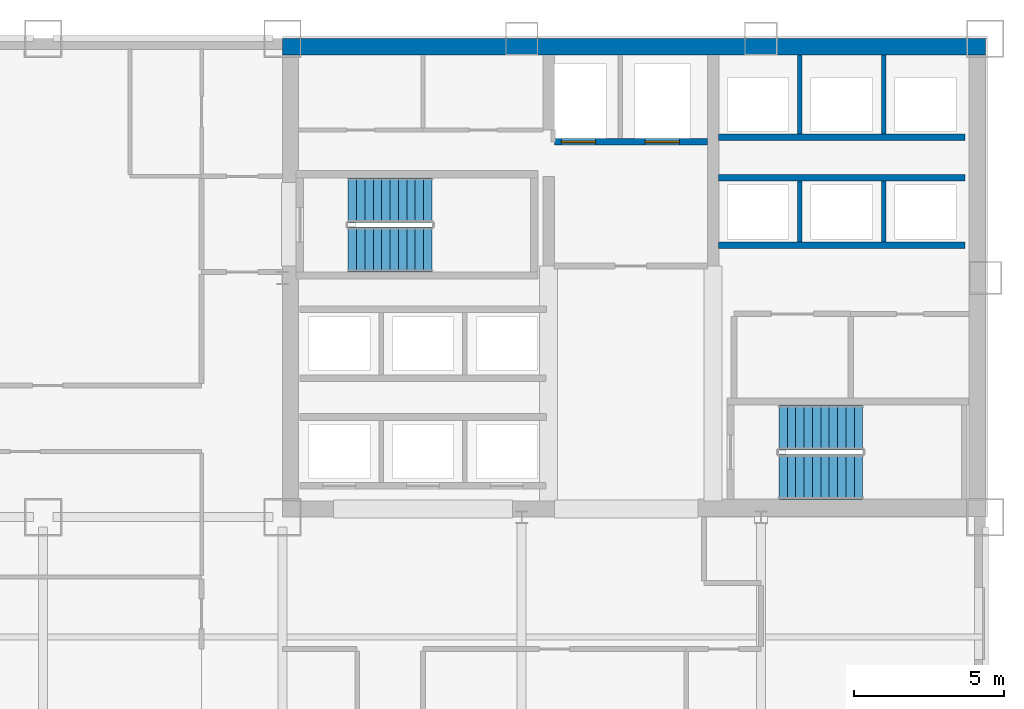
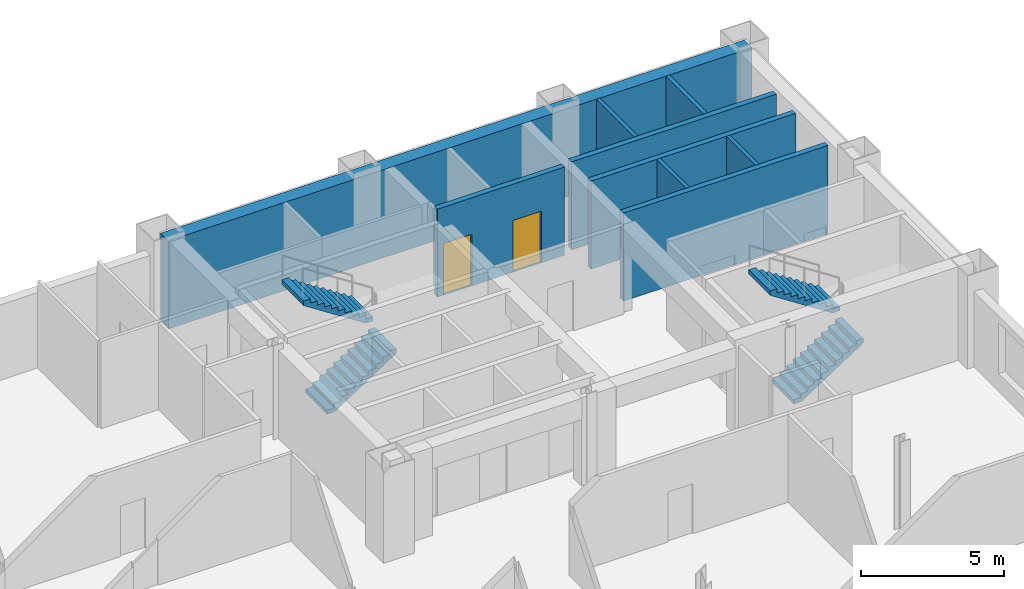
# One storey, part 7 of 9: 9 walls, 4 stair flights, 2 doors, 2 openings, 2 elements without a shape of their own.
"""IFC4 building model written with IfcOpenShell, lengths in metres."""

import ifcopenshell
import ifcopenshell.guid

model = None  # the IFC model being written
_history = None  # IfcOwnerHistory: only IFC2X3 demands one
_inside = {}  # id of a spatial element -> (the spatial element, [elements in it])
_under = {}  # id of a project, library or spatial element -> (it, [spatial elements below it])
_declared = {}  # id of a project -> (the project, [libraries it declares])
_typed = {}  # id of a type object -> (the type object, [elements of that type])
_made_of = {}  # id of a material, layer set ... -> (it, [elements and type objects made of it])


def new_model(schema):
    """Start an empty IFC model of exactly this schema.

    Asked for "IFC4X3", IfcOpenShell would pick the latest addendum, in which some entities
    have other attributes; the version numbers below select the first issue.
    IFC2X3 requires an IfcOwnerHistory on every rooted entity: one is made here for all.
    """
    global model, _history
    if schema == "IFC4X3":
        model = ifcopenshell.file(schema_version=(4, 3, 0, 0))
    else:
        model = ifcopenshell.file(schema=schema)
    _inside.clear()
    _under.clear()
    _declared.clear()
    _typed.clear()
    _made_of.clear()
    _history = None
    if model.schema == "IFC2X3":
        org = make("IfcOrganization", Name="unknown")
        user = make(
            "IfcPersonAndOrganization",
            ThePerson=make("IfcPerson", FamilyName="unknown"),
            TheOrganization=org,
        )
        app = make(
            "IfcApplication",
            ApplicationDeveloper=org,
            Version="unknown",
            ApplicationFullName="unknown",
            ApplicationIdentifier="unknown",
        )
        _history = make(
            "IfcOwnerHistory",
            OwningUser=user,
            OwningApplication=app,
            ChangeAction="ADDED",
            CreationDate=0,
        )
    return model


def make(cls, **values):
    """One entity of the class cls with the attributes given. An attribute that is None is left unset."""
    return model.create_entity(
        cls, **{name: value for name, value in values.items() if value is not None}
    )


def rooted(cls, **values):
    """An entity with a GlobalId (a new one), such as an element, a storey or a relation."""
    return make(cls, GlobalId=ifcopenshell.guid.new(), OwnerHistory=_history, **values)


def si_unit(unit_type, name, prefix=None):
    """IfcSIUnit, for example si_unit("LENGTHUNIT", "METRE", prefix="MILLI")."""
    return make("IfcSIUnit", UnitType=unit_type, Prefix=prefix, Name=name)


def assignment(units):
    """IfcUnitAssignment: the units of a project."""
    return None if units is None else make("IfcUnitAssignment", Units=units)


def point(xyz):
    """IfcCartesianPoint."""
    return None if xyz is None else make("IfcCartesianPoint", Coordinates=xyz)


def direction(xyz):
    """IfcDirection."""
    return None if xyz is None else make("IfcDirection", DirectionRatios=xyz)


def frame(location, z_axis=None, x_axis=None):
    """IfcAxis2Placement3D, a coordinate frame: its origin and axes. An axis left out is left unset."""
    return make(
        "IfcAxis2Placement3D",
        Location=point(location),
        Axis=direction(z_axis),
        RefDirection=direction(x_axis),
    )


def frame_2d(location, x_axis=None):
    """IfcAxis2Placement2D, a coordinate frame in the plane: its origin and x axis."""
    return make(
        "IfcAxis2Placement2D", Location=point(location), RefDirection=direction(x_axis)
    )


def origin():
    """The frame at (0, 0, 0) with its axes left unset."""
    return frame((0.0, 0.0, 0.0))


def place(relative_to, where):
    """IfcLocalPlacement: puts the frame where relative to a parent placement (None: the world)."""
    return make(
        "IfcLocalPlacement", PlacementRelTo=relative_to, RelativePlacement=where
    )


def context(
    kind, dimensions, precision=None, world=None, true_north=None, identifier=None
):
    """IfcGeometricRepresentationContext, for example the 3D "Model" context."""
    return make(
        "IfcGeometricRepresentationContext",
        ContextIdentifier=identifier,
        ContextType=kind,
        CoordinateSpaceDimension=dimensions,
        Precision=precision,
        WorldCoordinateSystem=world,
        TrueNorth=true_north,
    )


def subcontext(parent, identifier, kind, view, scale=None):
    """IfcGeometricRepresentationSubContext, for example "Body" below "Model"."""
    return make(
        "IfcGeometricRepresentationSubContext",
        ContextIdentifier=identifier,
        ContextType=kind,
        ParentContext=parent,
        TargetScale=scale,
        TargetView=view,
    )


def project(units=None, contexts=None):
    """IfcProject with its units and contexts."""
    return rooted(
        "IfcProject",
        Name="project",
        RepresentationContexts=contexts,
        UnitsInContext=assignment(units),
    )


def spatial(cls, under=None, at=None, **own):
    """A site, building, storey or space (cls), placed at a placement, below another one or the project."""
    s = rooted(cls, ObjectPlacement=at, **own)
    if under is not None:
        _under.setdefault(under.id(), (under, []))[1].append(s)
    return s


def polyline(points):
    """IfcPolyline through the points."""
    return make("IfcPolyline", Points=[point(p) for p in points])


def profile(cls, at=None, kind="AREA", **sizes):
    """A parametric profile (cls). Its sizes go by their IFC names, for example OverallWidth=200.0."""
    return make(cls, ProfileType=kind, Position=at, **sizes)


def rectangle(**sizes):
    """IfcRectangleProfileDef."""
    return profile("IfcRectangleProfileDef", **sizes)


def outline(outer, holes=None, kind="AREA"):
    """IfcArbitraryClosedProfileDef: a profile drawn as a closed curve; with holes, ...WithVoids."""
    if holes is None:
        return make("IfcArbitraryClosedProfileDef", ProfileType=kind, OuterCurve=outer)
    return make(
        "IfcArbitraryProfileDefWithVoids",
        ProfileType=kind,
        OuterCurve=outer,
        InnerCurves=holes,
    )


def extrude(swept, where, along, depth):
    """IfcExtrudedAreaSolid: the profile swept, set in the frame where, extruded along a direction by depth."""
    return make(
        "IfcExtrudedAreaSolid",
        SweptArea=swept,
        Position=where,
        ExtrudedDirection=direction(along),
        Depth=depth,
    )


def shape(context_of_items, identifier, shape_type, items):
    """IfcShapeRepresentation: the items that make up one representation, for example the "Body"."""
    return make(
        "IfcShapeRepresentation",
        ContextOfItems=context_of_items,
        RepresentationIdentifier=identifier,
        RepresentationType=shape_type,
        Items=items,
    )


def material(Name=None, Category=None):
    """IfcMaterial."""
    return make("IfcMaterial", Name=Name, Category=Category)


def layer(
    of_material, thickness, ventilated=None, Name=None, Category=None, Priority=None
):
    """IfcMaterialLayer: one layer of a wall or slab, of a material (None: an air gap)."""
    return make(
        "IfcMaterialLayer",
        Material=of_material,
        LayerThickness=thickness,
        IsVentilated=ventilated,
        Name=Name,
        Category=Category,
        Priority=Priority,
    )


def layer_set(layers, Name=None):
    """IfcMaterialLayerSet."""
    return make("IfcMaterialLayerSet", MaterialLayers=layers, LayerSetName=Name)


def made_of(thing, what):
    """Note that an element or type object is made of a material, layer set ...; save() writes the relation."""
    if what is not None:
        _made_of.setdefault(what.id(), (what, []))[1].append(thing)
    return thing


def type_object(cls, material=None, **own):
    """A type object (cls), such as IfcWallType, which elements share."""
    return made_of(rooted(cls, **own), material)


def element(
    cls,
    number,
    at=None,
    inside=None,
    cuts=None,
    type_object=None,
    material=None,
    context=None,
    identifier="Body",
    shape_type=None,
    held_by="IfcProductDefinitionShape",
    body=None,
    shapes=None,
    **own,
):
    """One element of the class cls, such as IfcWall. Its Tag is "e" and its number.

    at: its placement. inside: the storey or other place that contains it. cuts: it is an
    opening in that element (IfcRelVoidsElement). A single representation is given by context,
    identifier, shape_type and body (its items); several are given by shapes. held_by: the class
    of the entity that holds the representations. save() writes the other relations.
    """
    e = rooted(cls, Tag="e%d" % number, ObjectPlacement=at, **own)
    if body is not None:
        shapes = [shape(context, identifier, shape_type, body)]
    if shapes is not None:
        e.Representation = make(held_by, Representations=shapes)
    if inside is not None:
        _inside.setdefault(inside.id(), (inside, []))[1].append(e)
    if cuts is not None:
        rooted(
            "IfcRelVoidsElement", RelatingBuildingElement=cuts, RelatedOpeningElement=e
        )
    if type_object is not None:
        _typed.setdefault(type_object.id(), (type_object, []))[1].append(e)
    return made_of(e, material)


def fill(opening, filler):
    """IfcRelFillsElement: the door or window that sits in an opening."""
    return rooted(
        "IfcRelFillsElement",
        RelatingOpeningElement=opening,
        RelatedBuildingElement=filler,
    )


def aggregate(whole, parts):
    """IfcRelAggregates: a whole, such as a stair, and the parts it consists of."""
    return rooted("IfcRelAggregates", RelatingObject=whole, RelatedObjects=parts)


def save(model, path):
    """Write the relations noted so far, then the file.

    IfcRelAggregates (storeys below a building ...), IfcRelContainedInSpatialStructure (elements
    in a storey), IfcRelDefinesByType, IfcRelAssociatesMaterial and IfcRelDeclares: one each for
    every whole, place, type object, material and project.
    """
    for whole, parts in _under.values():
        aggregate(whole, parts)
    for where, things in _inside.values():
        rooted(
            "IfcRelContainedInSpatialStructure",
            RelatedElements=things,
            RelatingStructure=where,
        )
    for kind, things in _typed.values():
        rooted("IfcRelDefinesByType", RelatedObjects=things, RelatingType=kind)
    for what, things in _made_of.values():
        rooted("IfcRelAssociatesMaterial", RelatedObjects=things, RelatingMaterial=what)
    for by, libraries in _declared.values():
        rooted("IfcRelDeclares", RelatingContext=by, RelatedDefinitions=libraries)
    model.write(path)


model = new_model("IFC4")

# Units and contexts
model_context = context("Model", 3, precision=1e-05, world=origin(), true_north=direction((0.0, 1.0)))
body_context = subcontext(model_context, "Body", "Model", "MODEL_VIEW")
ifc_project = project(units=[si_unit("LENGTHUNIT", "METRE"), si_unit("AREAUNIT", "SQUARE_METRE"), si_unit("VOLUMEUNIT", "CUBIC_METRE"), si_unit("PLANEANGLEUNIT", "RADIAN"), si_unit("MASSUNIT", "GRAM", prefix="KILO")], contexts=[model_context])

# Site, building, storey
site_placement = place(None, origin())
site = spatial("IfcSite", under=ifc_project, at=site_placement, CompositionType="ELEMENT")
building_placement = place(site_placement, origin())
building = spatial("IfcBuilding", under=site, at=building_placement, Name="Qianrong Seaharbour Tower", CompositionType="ELEMENT")
storey_placement = place(building_placement, frame((0.0, 0.0, 84.199951171875)))
storey = spatial("IfcBuildingStorey", under=building, at=storey_placement, Name="L20", CompositionType="ELEMENT", Elevation=84.199951171875)

# Walls
ifc_material_1 = material(Name="Concrete C70/85", Category="concrete")
ifc_layer_1 = layer(ifc_material_1, 0.5400390625)
ifc_layer_set_1 = layer_set([ifc_layer_1], Name="Concrete C70/85")
wall_type_1 = type_object("IfcWallType", Name="WALL-CORE-540", PredefinedType="SHEAR", material=ifc_layer_set_1)
wall_1_placement = place(storey_placement, frame((40.5, 51.72998046875, 0.0), z_axis=(0.0, 0.0, 1.0), x_axis=(1.0, 0.0, 0.0)))
element("IfcWall", 1, at=wall_1_placement, inside=storey, type_object=wall_type_1, Name="L20 North Core Shear Wall", PredefinedType="SHEAR", context=body_context, shape_type="SweptSolid", body=[
    extrude(rectangle(XDim=23.5, YDim=0.5400390625, at=frame_2d((11.75, 0.0))), origin(), (0.0, 0.0, 1.0), 3.75),
])
ifc_material_2 = material(Name="Fire-rated gypsum board on steel studs", Category="steel")
ifc_layer_2 = layer(ifc_material_2, 0.14990234375)
ifc_layer_set_2 = layer_set([ifc_layer_2], Name="Fire-rated gypsum board on steel studs")
wall_type_2 = type_object("IfcWallType", Name="WALL-SHAFT-DIV-150", PredefinedType="PARTITIONING", material=ifc_layer_set_2)
for number, where, z_axis, x_axis, name in (
    (2, (57.800048828125, 45.2099609375, 0.0), (0.0, 0.0, 1.0), (0.0, 1.0, 0.0), "L20 P3 Lift Hoistway Divider 2"),
    (3, (60.60009765625, 45.2099609375, 0.0), (0.0, 0.0, 1.0), (0.0, 1.0, 0.0), "L20 P3 Lift Hoistway Divider 3"),
):
    element("IfcWall", number, at=place(storey_placement, frame(where, z_axis=z_axis, x_axis=x_axis)), inside=storey, type_object=wall_type_2, Name=name, PredefinedType="PARTITIONING", context=body_context, shape_type="SweptSolid", body=[
        extrude(rectangle(XDim=2.030029296875, YDim=0.14990234375, at=frame_2d((1.01513671875, 0.0))), origin(), (0.0, 0.0, 1.0), 3.75),
    ])
for number, where, z_axis, x_axis, name in (
    (4, (57.800048828125, 48.81005859375, 0.0), (0.0, 0.0, 1.0), (0.0, 1.0, 0.0), "L20 P4 Lift Hoistway Divider 2"),
    (5, (60.60009765625, 48.81005859375, 0.0), (0.0, 0.0, 1.0), (0.0, 1.0, 0.0), "L20 P4 Lift Hoistway Divider 3"),
):
    element("IfcWall", number, at=place(storey_placement, frame(where, z_axis=z_axis, x_axis=x_axis)), inside=storey, type_object=wall_type_2, Name=name, PredefinedType="PARTITIONING", context=body_context, shape_type="SweptSolid", body=[
        extrude(rectangle(XDim=2.64990234375, YDim=0.14990234375, at=frame_2d((1.324951171875, 0.0))), origin(), (0.0, 0.0, 1.0), 3.75),
    ])

# Wall, openings, doors
ifc_layer_3 = layer(ifc_material_2, 0.219970703125)
ifc_layer_set_3 = layer_set([ifc_layer_3], Name="Fire-rated gypsum board on steel studs")
wall_type_3 = type_object("IfcWallType", Name="WALL-SHAFT-GYP220", PredefinedType="PARTITIONING", material=ifc_layer_set_3)
wall_2_placement = place(storey_placement, frame((54.7099609375, 48.550048828125, 0.0), z_axis=(0.0, 0.0, 1.0), x_axis=(-1.0, 0.0, 0.0)))
wall_2 = element("IfcWall", 6, at=wall_2_placement, inside=storey, type_object=wall_type_3, Name="L20 Firefighting Lift Shaft Front Wall", PredefinedType="PARTITIONING", context=body_context, shape_type="SweptSolid", body=[
    extrude(rectangle(XDim=5.119873046875, YDim=0.219970703125, at=frame_2d((2.56005859375, 0.0))), origin(), (0.0, 0.0, 1.0), 3.75),
])
opening_1_placement = place(wall_2_placement, frame((3.735107421875, 0.0, 0.0)))
opening_1 = element("IfcOpeningElement", 7, at=opening_1_placement, cuts=wall_2, Name="Opening LD-01", PredefinedType="OPENING", context=body_context, shape_type="SweptSolid", body=[
    extrude(rectangle(XDim=1.14990234375, YDim=2.199951171875, at=frame_2d((0.574951171875, 1.10009765625))), frame((0.0, 0.1201171875, 0.0), z_axis=(0.0, -1.0, 0.0), x_axis=(1.0, 0.0, 0.0)), (0.0, 0.0, 1.0), 0.239990234375),
])
opening_2_placement = place(wall_2_placement, frame((0.93505859375, 0.0, 0.0)))
opening_2 = element("IfcOpeningElement", 8, at=opening_2_placement, cuts=wall_2, Name="Opening LD-01", PredefinedType="OPENING", context=body_context, shape_type="SweptSolid", body=[
    extrude(rectangle(XDim=1.14990234375, YDim=2.199951171875, at=frame_2d((0.574951171875, 1.10009765625))), frame((0.0, 0.1201171875, 0.0), z_axis=(0.0, -1.0, 0.0), x_axis=(1.0, 0.0, 0.0)), (0.0, 0.0, 1.0), 0.239990234375),
])
ifc_material_3 = material(Name="Stainless steel SUS316L bi-parting lift landing door", Category="steel")
door_type = type_object("IfcDoorType", Name="DOOR-LIFT-FF-1150x2200", OperationType="DOUBLE_DOOR_SLIDING", PredefinedType="DOOR", material=ifc_material_3)
door_1_placement = place(opening_1_placement, origin())
door_1 = element("IfcDoor", 9, at=door_1_placement, inside=storey, type_object=door_type, Name="L20 FL-1 Firefighting Lift Landing Door", OperationType="DOUBLE_DOOR_SLIDING", OverallHeight=2.199951171875, OverallWidth=1.14990234375, PredefinedType="DOOR", context=body_context, shape_type="SweptSolid", body=[
    extrude(rectangle(XDim=1.14990234375, YDim=2.199951171875, at=frame_2d((0.574951171875, 1.10009765625))), frame((0.0, 0.02490234375, 0.0), z_axis=(0.0, -1.0, 0.0), x_axis=(1.0, 0.0, 0.0)), (0.0, 0.0, 1.0), 0.050048828125),
])
fill(opening_1, door_1)
door_2_placement = place(opening_2_placement, origin())
door_2 = element("IfcDoor", 10, at=door_2_placement, inside=storey, type_object=door_type, Name="L20 FL-2 Firefighting Lift Landing Door", OperationType="DOUBLE_DOOR_SLIDING", OverallHeight=2.199951171875, OverallWidth=1.14990234375, PredefinedType="DOOR", context=body_context, shape_type="SweptSolid", body=[
    extrude(rectangle(XDim=1.14990234375, YDim=2.199951171875, at=frame_2d((0.574951171875, 1.10009765625))), frame((0.0, 0.02490234375, 0.0), z_axis=(0.0, -1.0, 0.0), x_axis=(1.0, 0.0, 0.0)), (0.0, 0.0, 1.0), 0.050048828125),
])
fill(opening_2, door_2)

# Walls
for number, where, z_axis, x_axis, name in (
    (11, (63.320068359375, 45.10009765625, 0.0), (0.0, 0.0, 1.0), (-1.0, 0.0, 0.0), "L20 P3 Lift Hoistway Front Wall"),
    (12, (55.080078125, 47.35009765625, 0.0), (0.0, 0.0, 1.0), (1.0, 0.0, 0.0), "L20 P3 Lift Hoistway Back Wall"),
    (13, (63.320068359375, 48.699951171875, 0.0), (0.0, 0.0, 1.0), (-1.0, 0.0, 0.0), "L20 P4 Lift Hoistway Front Wall"),
):
    element("IfcWall", number, at=place(storey_placement, frame(where, z_axis=z_axis, x_axis=x_axis)), inside=storey, type_object=wall_type_3, Name=name, PredefinedType="PARTITIONING", context=body_context, shape_type="SweptSolid", body=[
        extrude(rectangle(XDim=8.239990234375, YDim=0.219970703125, at=frame_2d((4.1201171875, 0.0))), origin(), (0.0, 0.0, 1.0), 3.75),
    ])

# Stair, stair flights
ifc_material_4 = material(Name="Concrete C50/60", Category="concrete")
stair_type = type_object("IfcStairType", Name="STAIR-DOGLEG-1500-R22", PredefinedType="HALF_TURN_STAIR", material=ifc_material_4)
stair_1_placement = place(storey_placement, origin())
stair_1 = element("IfcStair", 14, at=stair_1_placement, inside=storey, type_object=stair_type, Name="L20 Protected Escape Stair ST-1", PredefinedType="HALF_TURN_STAIR")
stair_flight_type = type_object("IfcStairFlightType", Name="FLIGHT-STR-1500-R22", PredefinedType="STRAIGHT", material=ifc_material_4)
stair_flight_1_placement = place(storey_placement, frame((42.699951171875, 44.949951171875, 0.0), z_axis=(0.0, 0.0, 1.0), x_axis=(1.0, 0.0, 0.0)))
stair_flight_1 = element("IfcStairFlight", 15, at=stair_flight_1_placement, type_object=stair_flight_type, Name="ST-1 flight 1", NumberOfRisers=11, NumberOfTreads=10, PredefinedType="STRAIGHT", RiserHeight=0.181818182, TreadLength=0.28, context=body_context, shape_type="SweptSolid", body=[
    extrude(outline(polyline([(0.0, 0.0), (0.0, 0.181884765625), (0.280029296875, 0.181884765625), (0.280029296875, 0.363525390625), (0.56005859375, 0.363525390625), (0.56005859375, 0.54541015625), (0.840087890625, 0.54541015625), (0.840087890625, 0.727294921875), (1.1201171875, 0.727294921875), (1.1201171875, 0.9091796875), (1.39990234375, 0.9091796875), (1.39990234375, 1.0908203125), (1.679931640625, 1.0908203125), (1.679931640625, 1.272705078125), (1.9599609375, 1.272705078125), (1.9599609375, 1.45458984375), (2.239990234375, 1.45458984375), (2.239990234375, 1.636474609375), (2.52001953125, 1.636474609375), (2.52001953125, 1.818115234375), (2.800048828125, 1.818115234375), (2.800048828125, 2.0), (2.800048828125, 1.62744140625), (0.293701171875, 0.0), (0.0, 0.0)])), frame((0.0, 0.75, 0.0), z_axis=(0.0, -1.0, 0.0), x_axis=(1.0, 0.0, 0.0)), (0.0, 0.0, 1.0), 1.5),
])
stair_flight_2_placement = place(storey_placement, frame((45.5, 46.60009765625, 2.0), z_axis=(0.0, 0.0, 1.0), x_axis=(-1.0, 0.0, 0.0)))
stair_flight_2 = element("IfcStairFlight", 16, at=stair_flight_2_placement, type_object=stair_flight_type, Name="ST-1 flight 2", NumberOfRisers=11, NumberOfTreads=10, PredefinedType="STRAIGHT", RiserHeight=0.181818182, TreadLength=0.28, context=body_context, shape_type="SweptSolid", body=[
    extrude(outline(polyline([(0.0, 0.0), (0.0, 0.181884765625), (0.280029296875, 0.181884765625), (0.280029296875, 0.363525390625), (0.56005859375, 0.363525390625), (0.56005859375, 0.54541015625), (0.840087890625, 0.54541015625), (0.840087890625, 0.727294921875), (1.1201171875, 0.727294921875), (1.1201171875, 0.9091796875), (1.39990234375, 0.9091796875), (1.39990234375, 1.0908203125), (1.679931640625, 1.0908203125), (1.679931640625, 1.272705078125), (1.9599609375, 1.272705078125), (1.9599609375, 1.45458984375), (2.239990234375, 1.45458984375), (2.239990234375, 1.636474609375), (2.52001953125, 1.636474609375), (2.52001953125, 1.818115234375), (2.800048828125, 1.818115234375), (2.800048828125, 2.0), (2.800048828125, 1.62744140625), (0.293701171875, 0.0), (0.0, 0.0)])), frame((0.0, 0.75, 0.0), z_axis=(0.0, -1.0, 0.0), x_axis=(1.0, 0.0, 0.0)), (0.0, 0.0, 1.0), 1.5),
])
aggregate(stair_1, [stair_flight_1, stair_flight_2])

stair_2_placement = place(storey_placement, origin())
stair_2 = element("IfcStair", 17, at=stair_2_placement, inside=storey, type_object=stair_type, Name="L20 Protected Escape Stair ST-2", PredefinedType="HALF_TURN_STAIR")
stair_flight_3_placement = place(storey_placement, frame((57.10009765625, 37.35009765625, 0.0), z_axis=(0.0, 0.0, 1.0), x_axis=(1.0, 0.0, 0.0)))
stair_flight_3 = element("IfcStairFlight", 18, at=stair_flight_3_placement, type_object=stair_flight_type, Name="ST-2 flight 1", NumberOfRisers=11, NumberOfTreads=10, PredefinedType="STRAIGHT", RiserHeight=0.181818182, TreadLength=0.28, context=body_context, shape_type="SweptSolid", body=[
    extrude(outline(polyline([(0.0, 0.0), (0.0, 0.181884765625), (0.280029296875, 0.181884765625), (0.280029296875, 0.363525390625), (0.56005859375, 0.363525390625), (0.56005859375, 0.54541015625), (0.840087890625, 0.54541015625), (0.840087890625, 0.727294921875), (1.1201171875, 0.727294921875), (1.1201171875, 0.9091796875), (1.39990234375, 0.9091796875), (1.39990234375, 1.0908203125), (1.679931640625, 1.0908203125), (1.679931640625, 1.272705078125), (1.9599609375, 1.272705078125), (1.9599609375, 1.45458984375), (2.239990234375, 1.45458984375), (2.239990234375, 1.636474609375), (2.52001953125, 1.636474609375), (2.52001953125, 1.818115234375), (2.800048828125, 1.818115234375), (2.800048828125, 2.0), (2.800048828125, 1.62744140625), (0.293701171875, 0.0), (0.0, 0.0)])), frame((0.0, 0.75, 0.0), z_axis=(0.0, -1.0, 0.0), x_axis=(1.0, 0.0, 0.0)), (0.0, 0.0, 1.0), 1.5),
])
stair_flight_4_placement = place(storey_placement, frame((59.89990234375, 39.0, 2.0), z_axis=(0.0, 0.0, 1.0), x_axis=(-1.0, 0.0, 0.0)))
stair_flight_4 = element("IfcStairFlight", 19, at=stair_flight_4_placement, type_object=stair_flight_type, Name="ST-2 flight 2", NumberOfRisers=11, NumberOfTreads=10, PredefinedType="STRAIGHT", RiserHeight=0.181818182, TreadLength=0.28, context=body_context, shape_type="SweptSolid", body=[
    extrude(outline(polyline([(0.0, 0.0), (0.0, 0.181884765625), (0.280029296875, 0.181884765625), (0.280029296875, 0.363525390625), (0.56005859375, 0.363525390625), (0.56005859375, 0.54541015625), (0.840087890625, 0.54541015625), (0.840087890625, 0.727294921875), (1.1201171875, 0.727294921875), (1.1201171875, 0.9091796875), (1.39990234375, 0.9091796875), (1.39990234375, 1.0908203125), (1.679931640625, 1.0908203125), (1.679931640625, 1.272705078125), (1.9599609375, 1.272705078125), (1.9599609375, 1.45458984375), (2.239990234375, 1.45458984375), (2.239990234375, 1.636474609375), (2.52001953125, 1.636474609375), (2.52001953125, 1.818115234375), (2.800048828125, 1.818115234375), (2.800048828125, 2.0), (2.800048828125, 1.62744140625), (0.293701171875, 0.0), (0.0, 0.0)])), frame((0.0, 0.75, 0.0), z_axis=(0.0, -1.0, 0.0), x_axis=(1.0, 0.0, 0.0)), (0.0, 0.0, 1.0), 1.5),
])
aggregate(stair_2, [stair_flight_3, stair_flight_4])

save(model, "model.ifc")
